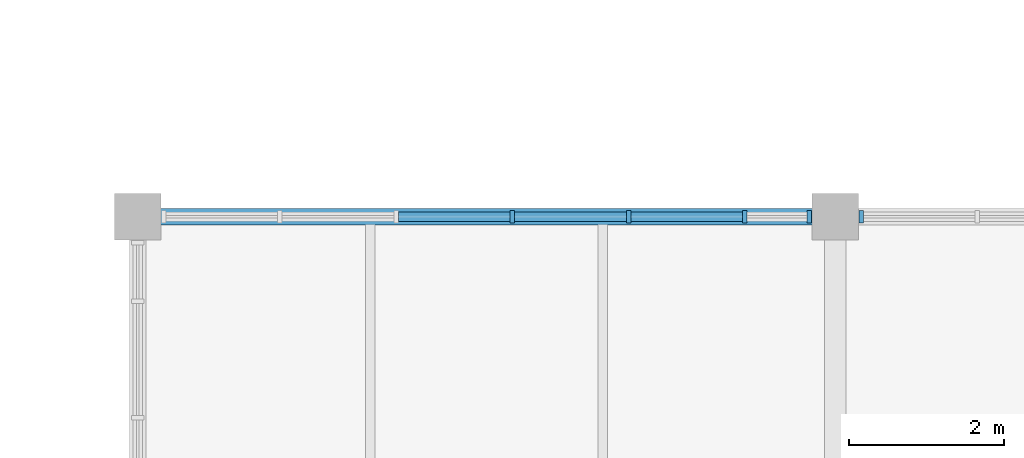
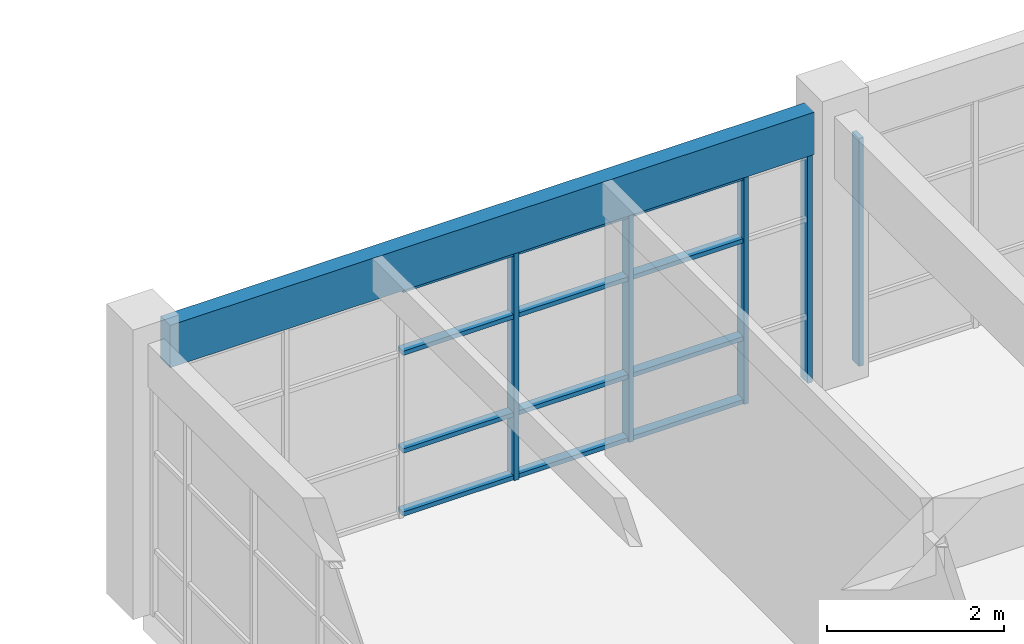
# One storey, part 31 of 76: 17 members, 1 beam, 2 elements without a shape of their own.
"""IFC4 building model written with IfcOpenShell, lengths in metres."""

from ifc_helpers import new_model, si_unit, direction, frame, origin, origin_2d, place, context, subcontext, project, spatial, rectangle, extrude, material, layer, layer_set, material_profile, profile_set, type_object, element, aggregate, save


model = new_model("IFC4")

# Units and contexts
model_context = context("Model", 3, precision=1e-05, world=origin(), true_north=direction((0.0, 1.0)))
body_context = subcontext(model_context, "Body", "Model", "MODEL_VIEW")
ifc_project = project(units=[si_unit("LENGTHUNIT", "METRE"), si_unit("AREAUNIT", "SQUARE_METRE"), si_unit("VOLUMEUNIT", "CUBIC_METRE"), si_unit("PLANEANGLEUNIT", "RADIAN"), si_unit("MASSUNIT", "GRAM", prefix="KILO")], contexts=[model_context])

# Site, building, storey
site_placement = place(None, origin())
site = spatial("IfcSite", under=ifc_project, at=site_placement, CompositionType="ELEMENT")
building_placement = place(site_placement, origin())
building = spatial("IfcBuilding", under=site, at=building_placement, Name="Marnridge Secondary College", CompositionType="ELEMENT")
storey_placement = place(building_placement, frame((0.0, 0.0, 4.5)))
storey = spatial("IfcBuildingStorey", under=building, at=storey_placement, Name="L01", CompositionType="ELEMENT", Elevation=4.5)

# Beam
ifc_material_1 = material(Name="Glulam timber GL18", Category="wood")
ifc_material_profile_1 = material_profile(ifc_material_1, rectangle(XDim=0.215087890625, YDim=0.5849609375, at=origin_2d()), Name="GL18 215x585")
ifc_profile_set_1 = profile_set([ifc_material_profile_1], Name="Glulam timber GL18")
beam_type = type_object("IfcBeamType", Name="BM-GL585-EXT", PredefinedType="SPANDREL", material=ifc_profile_set_1)
beam_placement = place(storey_placement, frame((54.2939453125, 82.5, 3.447509765625), z_axis=(1.0, 0.0, 0.0), x_axis=(0.0, 1.0, 0.0)))
element("IfcBeam", 1, at=beam_placement, inside=storey, type_object=beam_type, Name="Beam BS-L01-0432", PredefinedType="SPANDREL", context=body_context, shape_type="SweptSolid", body=[
    extrude(rectangle(XDim=0.215087890625, YDim=0.5849609375, at=origin_2d()), origin(), (0.0, 0.0, 1.0), 8.412109375),
])

# Curtain wall, members
ifc_material_2 = material(Name="Thermally broken aluminium and low-E glazing", Category="aluminium")
ifc_layer = layer(ifc_material_2, 0.159912109375)
ifc_layer_set = layer_set([ifc_layer], Name="CW-MOD-1500")
curtain_wall_type = type_object("IfcCurtainWallType", Name="CW-MOD-1500", PredefinedType="NOTDEFINED", material=ifc_layer_set)
curtain_wall_1_placement = place(storey_placement, origin())
curtain_wall_1 = element("IfcCurtainWall", 2, at=curtain_wall_1_placement, inside=storey, type_object=curtain_wall_type, Name="Unitised curtain wall CW-L01-028", PredefinedType="NOTDEFINED")
ifc_material_3 = material(Name="Anodised aluminium 6063-T6", Category="aluminium")
ifc_material_profile_2 = material_profile(ifc_material_3, rectangle(XDim=0.06005859375, YDim=0.159912109375, at=origin_2d()), Name="ALU 60x160")
ifc_profile_set_2 = profile_set([ifc_material_profile_2], Name="Anodised aluminium 6063-T6")
member_type_1 = type_object("IfcMemberType", Name="CWM-ALU160", PredefinedType="MULLION", material=ifc_profile_set_2)
member_1_placement = place(storey_placement, frame((58.833984375, 82.5, 0.0), z_axis=(0.0, 0.0, 1.0), x_axis=(1.0, 0.0, 0.0)))
member_1 = element("IfcMember", 3, at=member_1_placement, type_object=member_type_1, Name="CW-L01-028 mullion 4", PredefinedType="MULLION", context=body_context, shape_type="SweptSolid", body=[
    extrude(rectangle(XDim=0.06005859375, YDim=0.159912109375, at=origin_2d()), origin(), (0.0, 0.0, 1.0), 3.14697265625),
])
member_2_placement = place(storey_placement, frame((60.333984375, 82.5, 0.0), z_axis=(0.0, 0.0, 1.0), x_axis=(1.0, 0.0, 0.0)))
member_2 = element("IfcMember", 4, at=member_2_placement, type_object=member_type_1, Name="CW-L01-028 mullion 5", PredefinedType="MULLION", context=body_context, shape_type="SweptSolid", body=[
    extrude(rectangle(XDim=0.06005859375, YDim=0.159912109375, at=origin_2d()), origin(), (0.0, 0.0, 1.0), 3.14697265625),
])
member_3_placement = place(storey_placement, frame((61.833984375, 82.5, 0.0), z_axis=(0.0, 0.0, 1.0), x_axis=(1.0, 0.0, 0.0)))
member_3 = element("IfcMember", 5, at=member_3_placement, type_object=member_type_1, Name="CW-L01-028 mullion 6", PredefinedType="MULLION", context=body_context, shape_type="SweptSolid", body=[
    extrude(rectangle(XDim=0.06005859375, YDim=0.159912109375, at=origin_2d()), origin(), (0.0, 0.0, 1.0), 3.14697265625),
])
member_4_placement = place(storey_placement, frame((62.666015625, 82.5, 0.0), z_axis=(0.0, 0.0, 1.0), x_axis=(1.0, 0.0, 0.0)))
member_4 = element("IfcMember", 6, at=member_4_placement, type_object=member_type_1, Name="CW-L01-028 mullion 7", PredefinedType="MULLION", context=body_context, shape_type="SweptSolid", body=[
    extrude(rectangle(XDim=0.06005859375, YDim=0.159912109375, at=origin_2d()), origin(), (0.0, 0.0, 1.0), 3.14697265625),
])

# Curtain wall, member
curtain_wall_2_placement = place(storey_placement, origin())
curtain_wall_2 = element("IfcCurtainWall", 7, at=curtain_wall_2_placement, inside=storey, type_object=curtain_wall_type, Name="Unitised curtain wall CW-L01-029", PredefinedType="NOTDEFINED")
member_5_placement = place(storey_placement, frame((63.333984375, 82.5, 0.0), z_axis=(0.0, 0.0, 1.0), x_axis=(1.0, 0.0, 0.0)))
member_5 = element("IfcMember", 8, at=member_5_placement, type_object=member_type_1, Name="CW-L01-029 mullion 1", PredefinedType="MULLION", context=body_context, shape_type="SweptSolid", body=[
    extrude(rectangle(XDim=0.06005859375, YDim=0.159912109375, at=origin_2d()), origin(), (0.0, 0.0, 1.0), 3.14697265625),
])
aggregate(curtain_wall_2, [member_5])

# Member
ifc_material_4 = material(Name="Anodised aluminium 6063-T6", Category="aluminium")
ifc_material_profile_3 = material_profile(ifc_material_4, rectangle(XDim=0.06005859375, YDim=0.1201171875, at=origin_2d()), Name="ALU 60x120")
ifc_profile_set_3 = profile_set([ifc_material_profile_3], Name="Anodised aluminium 6063-T6")
member_type_2 = type_object("IfcMemberType", Name="CWT-ALU120", PredefinedType="USERDEFINED", material=ifc_profile_set_3)
member_6_placement = place(storey_placement, frame((57.364013671875, 82.5, 0.030029296875), z_axis=(1.0, 0.0, 0.0), x_axis=(0.0, 0.0, 1.0)))
member_6 = element("IfcMember", 9, at=member_6_placement, type_object=member_type_2, Name="CW-L01-028 transom 3.1", ObjectType="TRANSOM", PredefinedType="USERDEFINED", context=body_context, shape_type="SweptSolid", body=[
    extrude(rectangle(XDim=0.06005859375, YDim=0.1201171875, at=origin_2d()), origin(), (0.0, 0.0, 1.0), 1.43994140625),
])

member_7_placement = place(storey_placement, frame((57.364013671875, 82.5, 0.89990234375), z_axis=(1.0, 0.0, 0.0), x_axis=(0.0, 0.0, 1.0)))
member_7 = element("IfcMember", 10, at=member_7_placement, type_object=member_type_2, Name="CW-L01-028 transom 3.2", ObjectType="TRANSOM", PredefinedType="USERDEFINED", context=body_context, shape_type="SweptSolid", body=[
    extrude(rectangle(XDim=0.06005859375, YDim=0.1201171875, at=origin_2d()), origin(), (0.0, 0.0, 1.0), 1.43994140625),
])

member_8_placement = place(storey_placement, frame((57.364013671875, 82.5, 2.25), z_axis=(1.0, 0.0, 0.0), x_axis=(0.0, 0.0, 1.0)))
member_8 = element("IfcMember", 11, at=member_8_placement, type_object=member_type_2, Name="CW-L01-028 transom 3.3", ObjectType="TRANSOM", PredefinedType="USERDEFINED", context=body_context, shape_type="SweptSolid", body=[
    extrude(rectangle(XDim=0.06005859375, YDim=0.1201171875, at=origin_2d()), origin(), (0.0, 0.0, 1.0), 1.43994140625),
])

member_9_placement = place(storey_placement, frame((57.364013671875, 82.5, 3.116943359375), z_axis=(1.0, 0.0, 0.0), x_axis=(0.0, 0.0, 1.0)))
member_9 = element("IfcMember", 12, at=member_9_placement, type_object=member_type_2, Name="CW-L01-028 transom 3.4", ObjectType="TRANSOM", PredefinedType="USERDEFINED", context=body_context, shape_type="SweptSolid", body=[
    extrude(rectangle(XDim=0.06005859375, YDim=0.1201171875, at=origin_2d()), origin(), (0.0, 0.0, 1.0), 1.43994140625),
])

member_10_placement = place(storey_placement, frame((58.864013671875, 82.5, 0.030029296875), z_axis=(1.0, 0.0, 0.0), x_axis=(0.0, 0.0, 1.0)))
member_10 = element("IfcMember", 13, at=member_10_placement, type_object=member_type_2, Name="CW-L01-028 transom 4.1", ObjectType="TRANSOM", PredefinedType="USERDEFINED", context=body_context, shape_type="SweptSolid", body=[
    extrude(rectangle(XDim=0.06005859375, YDim=0.1201171875, at=origin_2d()), origin(), (0.0, 0.0, 1.0), 1.43994140625),
])

member_11_placement = place(storey_placement, frame((58.864013671875, 82.5, 0.89990234375), z_axis=(1.0, 0.0, 0.0), x_axis=(0.0, 0.0, 1.0)))
member_11 = element("IfcMember", 14, at=member_11_placement, type_object=member_type_2, Name="CW-L01-028 transom 4.2", ObjectType="TRANSOM", PredefinedType="USERDEFINED", context=body_context, shape_type="SweptSolid", body=[
    extrude(rectangle(XDim=0.06005859375, YDim=0.1201171875, at=origin_2d()), origin(), (0.0, 0.0, 1.0), 1.43994140625),
])

member_12_placement = place(storey_placement, frame((58.864013671875, 82.5, 2.25), z_axis=(1.0, 0.0, 0.0), x_axis=(0.0, 0.0, 1.0)))
member_12 = element("IfcMember", 15, at=member_12_placement, type_object=member_type_2, Name="CW-L01-028 transom 4.3", ObjectType="TRANSOM", PredefinedType="USERDEFINED", context=body_context, shape_type="SweptSolid", body=[
    extrude(rectangle(XDim=0.06005859375, YDim=0.1201171875, at=origin_2d()), origin(), (0.0, 0.0, 1.0), 1.43994140625),
])

member_13_placement = place(storey_placement, frame((58.864013671875, 82.5, 3.116943359375), z_axis=(1.0, 0.0, 0.0), x_axis=(0.0, 0.0, 1.0)))
member_13 = element("IfcMember", 16, at=member_13_placement, type_object=member_type_2, Name="CW-L01-028 transom 4.4", ObjectType="TRANSOM", PredefinedType="USERDEFINED", context=body_context, shape_type="SweptSolid", body=[
    extrude(rectangle(XDim=0.06005859375, YDim=0.1201171875, at=origin_2d()), origin(), (0.0, 0.0, 1.0), 1.43994140625),
])

member_14_placement = place(storey_placement, frame((60.364013671875, 82.5, 0.030029296875), z_axis=(1.0, 0.0, 0.0), x_axis=(0.0, 0.0, 1.0)))
member_14 = element("IfcMember", 17, at=member_14_placement, type_object=member_type_2, Name="CW-L01-028 transom 5.1", ObjectType="TRANSOM", PredefinedType="USERDEFINED", context=body_context, shape_type="SweptSolid", body=[
    extrude(rectangle(XDim=0.06005859375, YDim=0.1201171875, at=origin_2d()), origin(), (0.0, 0.0, 1.0), 1.43994140625),
])

member_15_placement = place(storey_placement, frame((60.364013671875, 82.5, 0.89990234375), z_axis=(1.0, 0.0, 0.0), x_axis=(0.0, 0.0, 1.0)))
member_15 = element("IfcMember", 18, at=member_15_placement, type_object=member_type_2, Name="CW-L01-028 transom 5.2", ObjectType="TRANSOM", PredefinedType="USERDEFINED", context=body_context, shape_type="SweptSolid", body=[
    extrude(rectangle(XDim=0.06005859375, YDim=0.1201171875, at=origin_2d()), origin(), (0.0, 0.0, 1.0), 1.43994140625),
])

member_16_placement = place(storey_placement, frame((60.364013671875, 82.5, 2.25), z_axis=(1.0, 0.0, 0.0), x_axis=(0.0, 0.0, 1.0)))
member_16 = element("IfcMember", 19, at=member_16_placement, type_object=member_type_2, Name="CW-L01-028 transom 5.3", ObjectType="TRANSOM", PredefinedType="USERDEFINED", context=body_context, shape_type="SweptSolid", body=[
    extrude(rectangle(XDim=0.06005859375, YDim=0.1201171875, at=origin_2d()), origin(), (0.0, 0.0, 1.0), 1.43994140625),
])

member_17_placement = place(storey_placement, frame((60.364013671875, 82.5, 3.116943359375), z_axis=(1.0, 0.0, 0.0), x_axis=(0.0, 0.0, 1.0)))
member_17 = element("IfcMember", 20, at=member_17_placement, type_object=member_type_2, Name="CW-L01-028 transom 5.4", ObjectType="TRANSOM", PredefinedType="USERDEFINED", context=body_context, shape_type="SweptSolid", body=[
    extrude(rectangle(XDim=0.06005859375, YDim=0.1201171875, at=origin_2d()), origin(), (0.0, 0.0, 1.0), 1.43994140625),
])

aggregate(curtain_wall_1, [member_1, member_2, member_3, member_4, member_6, member_7, member_8, member_9, member_10, member_11, member_12, member_13, member_14, member_15, member_16, member_17])

save(model, "model.ifc")
